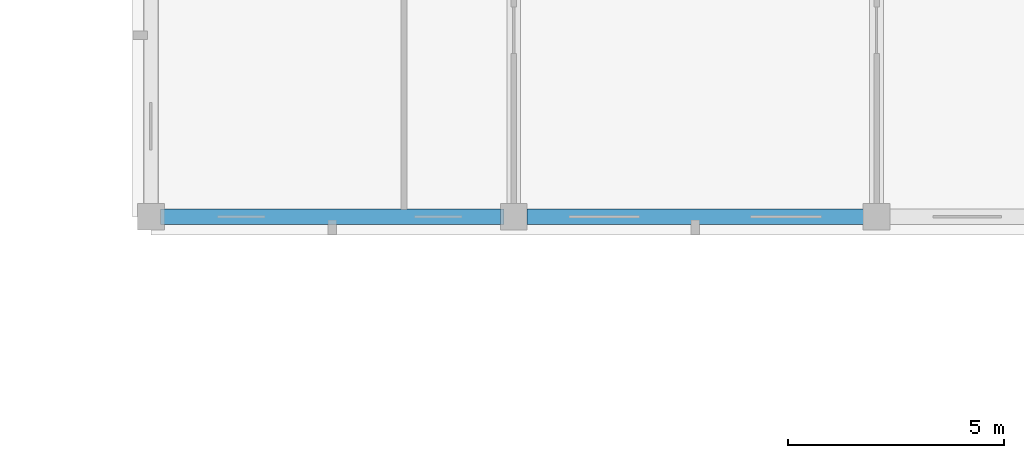
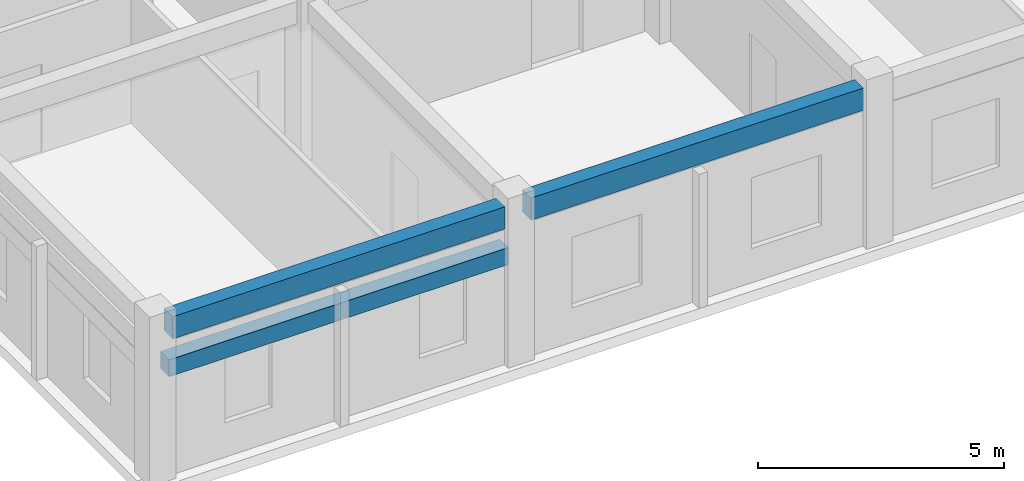
# One storey, part 33 of 81: 3 beams.
"""IFC4 building model written with IfcOpenShell, lengths in metres."""

from ifc_helpers import new_model, si_unit, direction, frame, origin, origin_2d, place, context, subcontext, project, spatial, rectangle, extrude, material, material_profile, profile_set, type_object, element, save


model = new_model("IFC4")

# Units and contexts
model_context = context("Model", 3, precision=1e-05, world=origin(), true_north=direction((0.0, 1.0)))
body_context = subcontext(model_context, "Body", "Model", "MODEL_VIEW")
ifc_project = project(units=[si_unit("LENGTHUNIT", "METRE"), si_unit("AREAUNIT", "SQUARE_METRE"), si_unit("VOLUMEUNIT", "CUBIC_METRE"), si_unit("PLANEANGLEUNIT", "RADIAN"), si_unit("MASSUNIT", "GRAM", prefix="KILO")], contexts=[model_context])

# Site, building, storey
site_placement = place(None, origin())
site = spatial("IfcSite", under=ifc_project, at=site_placement, CompositionType="ELEMENT")
building_placement = place(site_placement, origin())
building = spatial("IfcBuilding", under=site, at=building_placement, Name="Trelvath General Hospital", CompositionType="ELEMENT")
storey_placement = place(building_placement, frame((0.0, 0.0, 24.60009765625)))
storey = spatial("IfcBuildingStorey", under=building, at=storey_placement, Name="L06", CompositionType="ELEMENT", Elevation=24.60009765625)

# Beams
ifc_material_1 = material(Name="Concrete C35/45", Category="concrete")
ifc_material_profile_1 = material_profile(ifc_material_1, rectangle(XDim=0.35009765625, YDim=0.550048828125, at=origin_2d()), Name="RCB350x550")
ifc_profile_set_1 = profile_set([ifc_material_profile_1], Name="Concrete C35/45")
beam_type_1 = type_object("IfcBeamType", Name="Beam RC350x550", PredefinedType="BEAM", material=ifc_profile_set_1)
for number, where, z_axis, x_axis, name in (
    (1, (33.905029296875, 92.39990234375, 3.64501953125), (1.0, 0.0, 0.0), (0.0, 1.0, 0.0), "Grid Beam BX-604L"),
    (2, (42.304931640625, 92.39990234375, 3.64501953125), (1.0, 0.0, 0.0), (0.0, 1.0, 0.0), "Grid Beam BX-605L"),
):
    element("IfcBeam", number, at=place(storey_placement, frame(where, z_axis=z_axis, x_axis=x_axis)), inside=storey, type_object=beam_type_1, Name=name, PredefinedType="BEAM", context=body_context, shape_type="SweptSolid", body=[
        extrude(rectangle(XDim=0.35009765625, YDim=0.550048828125, at=origin_2d()), origin(), (0.0, 0.0, 1.0), 7.7900390625),
    ])
ifc_material_2 = material(Name="Precast concrete C40/50", Category="concrete")
ifc_material_profile_2 = material_profile(ifc_material_2, rectangle(XDim=0.35009765625, YDim=0.419921875, at=origin_2d()), Name="PCL350x420")
ifc_profile_set_2 = profile_set([ifc_material_profile_2], Name="Precast concrete C40/50")
beam_type_2 = type_object("IfcBeamType", Name="Lintel PC350x420", PredefinedType="LINTEL", material=ifc_profile_set_2)
beam_placement = place(storey_placement, frame((41.77490234375, 92.39990234375, 2.669921875), z_axis=(-1.0, 0.0, 0.0), x_axis=(0.0, -1.0, 0.0)))
element("IfcBeam", 3, at=beam_placement, inside=storey, type_object=beam_type_2, Name="Precast Window Brow Lintel L06-555", PredefinedType="LINTEL", context=body_context, shape_type="SweptSolid", body=[
    extrude(rectangle(XDim=0.35009765625, YDim=0.419921875, at=origin_2d()), origin(), (0.0, 0.0, 1.0), 7.949951171875),
])

save(model, "model.ifc")
